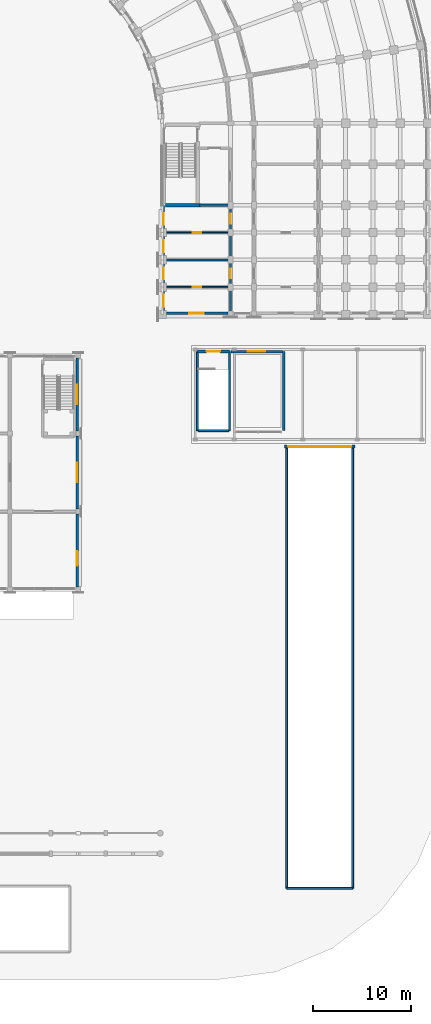
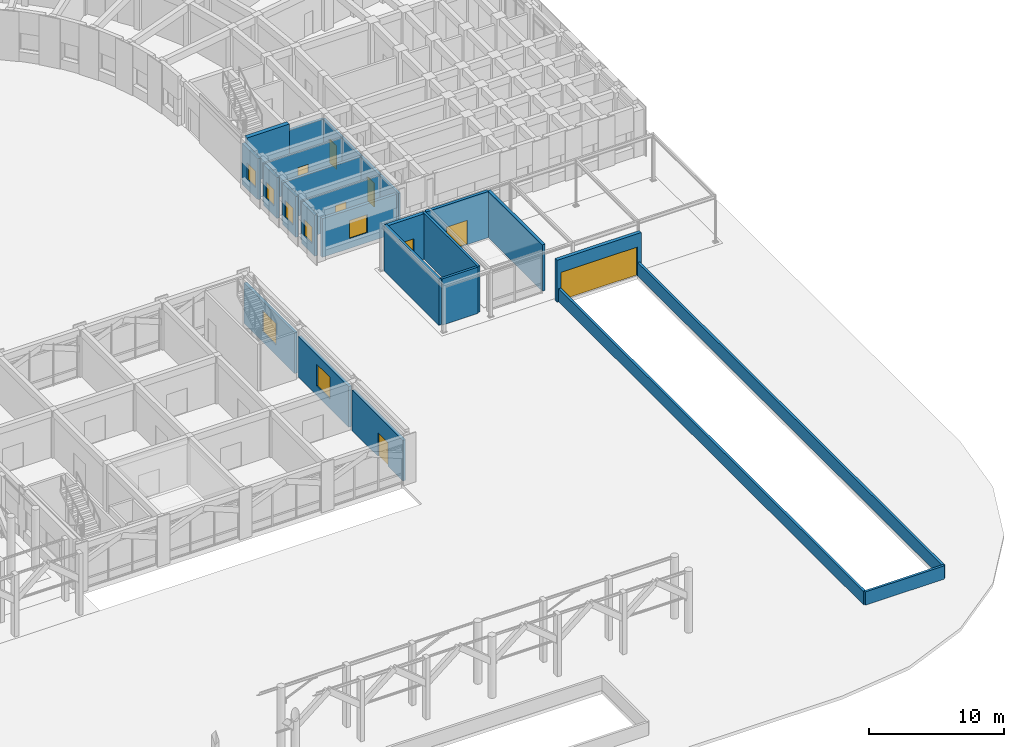
# One storey, part 107 of 135: 27 walls, 8 doors, 7 windows, 15 openings.
"""IFC4 building model written with IfcOpenShell, lengths in metres."""

from ifc_helpers import new_model, si_unit, direction, frame, frame_2d, origin, place, context, subcontext, project, spatial, rectangle, extrude, material, layer, layer_set, type_object, element, fill, save


model = new_model("IFC4")

# Units and contexts
model_context = context("Model", 3, precision=1e-05, world=origin(), true_north=direction((0.0, 1.0)))
body_context = subcontext(model_context, "Body", "Model", "MODEL_VIEW")
ifc_project = project(units=[si_unit("LENGTHUNIT", "METRE"), si_unit("AREAUNIT", "SQUARE_METRE"), si_unit("VOLUMEUNIT", "CUBIC_METRE"), si_unit("PLANEANGLEUNIT", "RADIAN"), si_unit("MASSUNIT", "GRAM", prefix="KILO")], contexts=[model_context])

# Site, building, storey
site_placement = place(None, origin())
site = spatial("IfcSite", under=ifc_project, at=site_placement, CompositionType="ELEMENT")
building_placement = place(site_placement, origin())
building = spatial("IfcBuilding", under=site, at=building_placement, Name="Kiranvali Square Residences", CompositionType="ELEMENT")
storey_placement = place(building_placement, origin())
storey = spatial("IfcBuildingStorey", under=building, at=storey_placement, Name="L00", CompositionType="ELEMENT", Elevation=0.0)

# Wall, opening, door
ifc_material_1 = material(Name="Autoclaved aerated concrete blockwork masonry", Category="masonry")
ifc_layer_1 = layer(ifc_material_1, 0.199951171875)
ifc_layer_set_1 = layer_set([ifc_layer_1], Name="Autoclaved aerated concrete blockwork masonry")
wall_type_1 = type_object("IfcWallType", Name="WL-COR-200", PredefinedType="STANDARD", material=ifc_layer_set_1)
wall_1_placement = place(storey_placement, frame((145.60009765625, 79.39990234375, 0.0), z_axis=(0.0, 0.0, 1.0), x_axis=(0.0, -1.0, 0.0)))
wall_1 = element("IfcWall", 1, at=wall_1_placement, inside=storey, type_object=wall_type_1, Name="L00 architectural wall WL-L00-B-A2CI-0", PredefinedType="STANDARD", context=body_context, shape_type="SweptSolid", body=[
    extrude(rectangle(XDim=2.7998046875, YDim=0.199951171875, at=frame_2d((1.39990234375, 0.0))), origin(), (0.0, 0.0, 1.0), 3.491943359375),
])
opening_1_placement = place(wall_1_placement, frame((0.89990234375, 0.0, 0.0)))
opening_1 = element("IfcOpeningElement", 2, at=opening_1_placement, cuts=wall_1, Name="Opening FD-APT-60", PredefinedType="OPENING", context=body_context, shape_type="SweptSolid", body=[
    extrude(rectangle(XDim=1.0, YDim=2.14990234375, at=frame_2d((0.5, 1.074951171875))), frame((0.0, 0.10986328125, 0.0), z_axis=(0.0, -1.0, 0.0), x_axis=(1.0, 0.0, 0.0)), (0.0, 0.0, 1.0), 0.219970703125),
])
ifc_material_2 = material(Name="Fire-rated acoustic hardwood and mineral-core door assembly", Category="wood")
door_type_1 = type_object("IfcDoorType", Name="DR-APT-1000", OperationType="NOTDEFINED", PredefinedType="DOOR", material=ifc_material_2)
door_1_placement = place(opening_1_placement, frame((1.0, 0.0, 0.0), z_axis=(0.0, 0.0, 1.0), x_axis=(-1.0, 0.0, 0.0)))
door_1 = element("IfcDoor", 3, at=door_1_placement, inside=storey, type_object=door_type_1, Name="L00 door DR-L00-0986 (DR-APT-1000)", OperationType="SINGLE_SWING_RIGHT", OverallHeight=2.14990234375, OverallWidth=1.0, PredefinedType="DOOR", context=body_context, shape_type="SweptSolid", body=[
    extrude(rectangle(XDim=1.0, YDim=2.14990234375, at=frame_2d((0.5, 1.074951171875))), frame((0.0, 0.02490234375, 0.0), z_axis=(0.0, -1.0, 0.0), x_axis=(1.0, 0.0, 0.0)), (0.0, 0.0, 1.0), 0.050048828125),
])
fill(opening_1, door_1)

# Wall
wall_2_placement = place(storey_placement, frame((145.60009765625, 76.60009765625, 0.0), z_axis=(0.0, 0.0, 1.0), x_axis=(0.0, -1.0, 0.0)))
element("IfcWall", 4, at=wall_2_placement, inside=storey, type_object=wall_type_1, Name="L00 architectural wall WL-L00-B-A2CI-1", PredefinedType="STANDARD", context=body_context, shape_type="SweptSolid", body=[
    extrude(rectangle(XDim=2.800048828125, YDim=0.199951171875, at=frame_2d((1.39990234375, 0.0))), origin(), (0.0, 0.0, 1.0), 3.491943359375),
])

# Wall, opening, door
wall_3_placement = place(storey_placement, frame((145.60009765625, 73.800048828125, 0.0), z_axis=(0.0, 0.0, 1.0), x_axis=(0.0, -1.0, 0.0)))
wall_3 = element("IfcWall", 5, at=wall_3_placement, inside=storey, type_object=wall_type_1, Name="L00 architectural wall WL-L00-B-A2CI-2", PredefinedType="STANDARD", context=body_context, shape_type="SweptSolid", body=[
    extrude(rectangle(XDim=2.800048828125, YDim=0.199951171875, at=frame_2d((1.39990234375, 0.0))), origin(), (0.0, 0.0, 1.0), 3.491943359375),
])
opening_2_placement = place(wall_3_placement, frame((0.89990234375, 0.0, 0.0)))
opening_2 = element("IfcOpeningElement", 6, at=opening_2_placement, cuts=wall_3, Name="Opening FD-APT-60", PredefinedType="OPENING", context=body_context, shape_type="SweptSolid", body=[
    extrude(rectangle(XDim=1.0, YDim=2.14990234375, at=frame_2d((0.5, 1.074951171875))), frame((0.0, 0.10986328125, 0.0), z_axis=(0.0, -1.0, 0.0), x_axis=(1.0, 0.0, 0.0)), (0.0, 0.0, 1.0), 0.219970703125),
])
door_2_placement = place(opening_2_placement, frame((1.0, 0.0, 0.0), z_axis=(0.0, 0.0, 1.0), x_axis=(-1.0, 0.0, 0.0)))
door_2 = element("IfcDoor", 7, at=door_2_placement, inside=storey, type_object=door_type_1, Name="L00 door DR-L00-0992 (DR-APT-1000)", OperationType="SINGLE_SWING_RIGHT", OverallHeight=2.14990234375, OverallWidth=1.0, PredefinedType="DOOR", context=body_context, shape_type="SweptSolid", body=[
    extrude(rectangle(XDim=1.0, YDim=2.14990234375, at=frame_2d((0.5, 1.074951171875))), frame((0.0, 0.02490234375, 0.0), z_axis=(0.0, -1.0, 0.0), x_axis=(1.0, 0.0, 0.0)), (0.0, 0.0, 1.0), 0.050048828125),
])
fill(opening_2, door_2)

# Walls
wall_4_placement = place(storey_placement, frame((145.60009765625, 71.0, 0.0), z_axis=(0.0, 0.0, 1.0), x_axis=(0.0, -1.0, 0.0)))
element("IfcWall", 8, at=wall_4_placement, inside=storey, type_object=wall_type_1, Name="L00 architectural wall WL-L00-B-A2CI-3", PredefinedType="STANDARD", context=body_context, shape_type="SweptSolid", body=[
    extrude(rectangle(XDim=2.800048828125, YDim=0.199951171875, at=frame_2d((1.39990234375, 0.0))), origin(), (0.0, 0.0, 1.0), 3.491943359375),
])
ifc_layer_2 = layer(ifc_material_1, 0.219970703125)
ifc_layer_set_2 = layer_set([ifc_layer_2], Name="Autoclaved aerated concrete blockwork masonry")
wall_type_2 = type_object("IfcWallType", Name="WL-DEM-220", PredefinedType="STANDARD", material=ifc_layer_set_2)
wall_5_placement = place(storey_placement, frame((142.449951171875, 79.39990234375, 0.0), z_axis=(0.0, 0.0, 1.0), x_axis=(1.0, 0.0, 0.0)))
element("IfcWall", 9, at=wall_5_placement, inside=storey, type_object=wall_type_2, Name="L00 architectural wall WL-L00-B-A2TI-0", PredefinedType="STANDARD", context=body_context, shape_type="SweptSolid", body=[
    extrude(rectangle(XDim=3.10009765625, YDim=0.219970703125, at=frame_2d((1.550048828125, 0.0))), origin(), (0.0, 0.0, 1.0), 3.491943359375),
])
wall_6_placement = place(storey_placement, frame((138.800048828125, 73.800048828125, 0.0), z_axis=(0.0, 0.0, 1.0), x_axis=(1.0, 0.0, 0.0)))
element("IfcWall", 10, at=wall_6_placement, inside=storey, type_object=wall_type_2, Name="L00 architectural wall WL-L00-B-A2TI-2", PredefinedType="STANDARD", context=body_context, shape_type="SweptSolid", body=[
    extrude(rectangle(XDim=6.75, YDim=0.219970703125, at=frame_2d((3.375, 0.0))), origin(), (0.0, 0.0, 1.0), 3.491943359375),
])
ifc_material_3 = material(Name="Breathable lime-rendered clay brick masonry", Category="masonry")
ifc_layer_3 = layer(ifc_material_3, 0.25)
ifc_layer_set_3 = layer_set([ifc_layer_3], Name="Breathable lime-rendered clay brick masonry")
wall_type_3 = type_object("IfcWallType", Name="WL-EXT-250", PredefinedType="STANDARD", material=ifc_layer_set_3)
wall_7_placement = place(storey_placement, frame((151.050048828125, 56.300048828125, 0.0), z_axis=(0.0, 0.0, 1.0), x_axis=(0.0, 1.0, 0.0)))
element("IfcWall", 11, at=wall_7_placement, inside=storey, type_object=wall_type_3, Name="L00 architectural wall WL-L00-KSKE-E", PredefinedType="STANDARD", context=body_context, shape_type="SweptSolid", body=[
    extrude(rectangle(XDim=8.099853515625, YDim=0.25, at=frame_2d((4.0498046875, 0.0))), origin(), (0.0, 0.0, 1.0), 4.179931640625),
])

# Wall, opening, door
wall_8_placement = place(storey_placement, frame((145.64990234375, 64.39990234375, 0.0), z_axis=(0.0, 0.0, 1.0), x_axis=(1.0, 0.0, 0.0)))
wall_8 = element("IfcWall", 12, at=wall_8_placement, inside=storey, type_object=wall_type_3, Name="L00 architectural wall WL-L00-KSKE-N", PredefinedType="STANDARD", context=body_context, shape_type="SweptSolid", body=[
    extrude(rectangle(XDim=5.300048828125, YDim=0.25, at=frame_2d((2.64990234375, 0.0))), origin(), (0.0, 0.0, 1.0), 4.179931640625),
])
opening_3_placement = place(wall_8_placement, frame((1.699951171875, 0.0, 0.0)))
opening_3 = element("IfcOpeningElement", 13, at=opening_3_placement, cuts=wall_8, Name="Opening ED-GLZ-180", PredefinedType="OPENING", context=body_context, shape_type="SweptSolid", body=[
    extrude(rectangle(XDim=1.800048828125, YDim=2.199951171875, at=frame_2d((0.89990234375, 1.10009765625))), frame((0.0, 0.135009765625, 0.0), z_axis=(0.0, -1.0, 0.0), x_axis=(1.0, 0.0, 0.0)), (0.0, 0.0, 1.0), 0.27001953125),
])
ifc_material_4 = material(Name="Anodised bronze aluminium framing", Category="aluminium")
door_type_2 = type_object("IfcDoorType", Name="DR-GLZ-1800", OperationType="DOUBLE_DOOR_SINGLE_SWING", PredefinedType="DOOR", material=ifc_material_4)
door_3_placement = place(opening_3_placement, origin())
door_3 = element("IfcDoor", 14, at=door_3_placement, inside=storey, type_object=door_type_2, Name="East Mobility Kiosk entrance door", OperationType="DOUBLE_DOOR_SINGLE_SWING", OverallHeight=2.199951171875, OverallWidth=1.800048828125, PredefinedType="DOOR", context=body_context, shape_type="SweptSolid", body=[
    extrude(rectangle(XDim=1.800048828125, YDim=2.199951171875, at=frame_2d((0.89990234375, 1.10009765625))), frame((0.0, 0.02490234375, 0.0), z_axis=(0.0, -1.0, 0.0), x_axis=(1.0, 0.0, 0.0)), (0.0, 0.0, 1.0), 0.050048828125),
])
fill(opening_3, door_3)

# Wall, opening, window
wall_9_placement = place(storey_placement, frame((138.72509765625, 79.37158203125, 0.0), z_axis=(0.0, 0.0, 1.0), x_axis=(0.0, -1.0, 0.0)))
wall_9 = element("IfcWall", 15, at=wall_9_placement, inside=storey, type_object=wall_type_3, Name="L00 exterior wall B-L00-A2I-0", PredefinedType="STANDARD", context=body_context, shape_type="SweptSolid", body=[
    extrude(rectangle(XDim=2.3515625, YDim=0.25, at=frame_2d((1.17578125, 0.0))), origin(), (0.0, 0.0, 1.0), 3.69189453125),
])
opening_4_placement = place(wall_9_placement, frame((0.771484375, 0.0, 0.8798828125)))
opening_4 = element("IfcOpeningElement", 16, at=opening_4_placement, cuts=wall_9, Name="Opening W-06", PredefinedType="OPENING", context=body_context, shape_type="SweptSolid", body=[
    extrude(rectangle(XDim=1.199951171875, YDim=1.5, at=frame_2d((0.60009765625, 0.75))), frame((0.0, 0.135009765625, 0.0), z_axis=(0.0, -1.0, 0.0), x_axis=(1.0, 0.0, 0.0)), (0.0, 0.0, 1.0), 0.27001953125),
])
ifc_material_5 = material(Name="Solar-control low-e double glazing", Category="glass")
window_type_1 = type_object("IfcWindowType", Name="WIN-RES-1200x1500", PartitioningType="SINGLE_PANEL", PredefinedType="WINDOW", material=ifc_material_5)
window_1_placement = place(opening_4_placement, origin())
window_1 = element("IfcWindow", 17, at=window_1_placement, inside=storey, type_object=window_type_1, Name="L00 recessed window B-L00-A2I-0", OverallHeight=1.5, OverallWidth=1.199951171875, PartitioningType="SINGLE_PANEL", PredefinedType="WINDOW", context=body_context, shape_type="SweptSolid", body=[
    extrude(rectangle(XDim=1.199951171875, YDim=1.5, at=frame_2d((0.60009765625, 0.75))), frame((0.0, 0.030029296875, 0.0), z_axis=(0.0, -1.0, 0.0), x_axis=(1.0, 0.0, 0.0)), (0.0, 0.0, 1.0), 0.06005859375),
])
fill(opening_4, window_1)

wall_10_placement = place(storey_placement, frame((138.72509765625, 76.179931640625, 0.0), z_axis=(0.0, 0.0, 1.0), x_axis=(0.0, -1.0, 0.0)))
wall_10 = element("IfcWall", 18, at=wall_10_placement, inside=storey, type_object=wall_type_3, Name="L00 exterior wall B-L00-A2I-1", PredefinedType="STANDARD", context=body_context, shape_type="SweptSolid", body=[
    extrude(rectangle(XDim=1.9599609375, YDim=0.25, at=frame_2d((0.97998046875, 0.0))), origin(), (0.0, 0.0, 1.0), 3.69189453125),
])
opening_5_placement = place(wall_10_placement, frame((0.3798828125, 0.0, 0.8798828125)))
opening_5 = element("IfcOpeningElement", 19, at=opening_5_placement, cuts=wall_10, Name="Opening W-06", PredefinedType="OPENING", context=body_context, shape_type="SweptSolid", body=[
    extrude(rectangle(XDim=1.199951171875, YDim=1.5, at=frame_2d((0.60009765625, 0.75))), frame((0.0, 0.135009765625, 0.0), z_axis=(0.0, -1.0, 0.0), x_axis=(1.0, 0.0, 0.0)), (0.0, 0.0, 1.0), 0.27001953125),
])
window_2_placement = place(opening_5_placement, origin())
window_2 = element("IfcWindow", 20, at=window_2_placement, inside=storey, type_object=window_type_1, Name="L00 recessed window B-L00-A2I-1", OverallHeight=1.5, OverallWidth=1.199951171875, PartitioningType="SINGLE_PANEL", PredefinedType="WINDOW", context=body_context, shape_type="SweptSolid", body=[
    extrude(rectangle(XDim=1.199951171875, YDim=1.5, at=frame_2d((0.60009765625, 0.75))), frame((0.0, 0.030029296875, 0.0), z_axis=(0.0, -1.0, 0.0), x_axis=(1.0, 0.0, 0.0)), (0.0, 0.0, 1.0), 0.06005859375),
])
fill(opening_5, window_2)

wall_11_placement = place(storey_placement, frame((138.72509765625, 73.3798828125, 0.0), z_axis=(0.0, 0.0, 1.0), x_axis=(0.0, -1.0, 0.0)))
wall_11 = element("IfcWall", 21, at=wall_11_placement, inside=storey, type_object=wall_type_3, Name="L00 exterior wall B-L00-A2I-2", PredefinedType="STANDARD", context=body_context, shape_type="SweptSolid", body=[
    extrude(rectangle(XDim=1.9599609375, YDim=0.25, at=frame_2d((0.97998046875, 0.0))), origin(), (0.0, 0.0, 1.0), 3.69189453125),
])
opening_6_placement = place(wall_11_placement, frame((0.3798828125, 0.0, 0.8798828125)))
opening_6 = element("IfcOpeningElement", 22, at=opening_6_placement, cuts=wall_11, Name="Opening W-06", PredefinedType="OPENING", context=body_context, shape_type="SweptSolid", body=[
    extrude(rectangle(XDim=1.199951171875, YDim=1.5, at=frame_2d((0.60009765625, 0.75))), frame((0.0, 0.135009765625, 0.0), z_axis=(0.0, -1.0, 0.0), x_axis=(1.0, 0.0, 0.0)), (0.0, 0.0, 1.0), 0.27001953125),
])
window_3_placement = place(opening_6_placement, origin())
window_3 = element("IfcWindow", 23, at=window_3_placement, inside=storey, type_object=window_type_1, Name="L00 recessed window B-L00-A2I-2", OverallHeight=1.5, OverallWidth=1.199951171875, PartitioningType="SINGLE_PANEL", PredefinedType="WINDOW", context=body_context, shape_type="SweptSolid", body=[
    extrude(rectangle(XDim=1.199951171875, YDim=1.5, at=frame_2d((0.60009765625, 0.75))), frame((0.0, 0.030029296875, 0.0), z_axis=(0.0, -1.0, 0.0), x_axis=(1.0, 0.0, 0.0)), (0.0, 0.0, 1.0), 0.06005859375),
])
fill(opening_6, window_3)

wall_12_placement = place(storey_placement, frame((138.72509765625, 70.580078125, 0.0), z_axis=(0.0, 0.0, 1.0), x_axis=(0.0, -1.0, 0.0)))
wall_12 = element("IfcWall", 24, at=wall_12_placement, inside=storey, type_object=wall_type_3, Name="L00 exterior wall B-L00-A2I-3", PredefinedType="STANDARD", context=body_context, shape_type="SweptSolid", body=[
    extrude(rectangle(XDim=1.9599609375, YDim=0.25, at=frame_2d((0.97998046875, 0.0))), origin(), (0.0, 0.0, 1.0), 3.69189453125),
])
opening_7_placement = place(wall_12_placement, frame((0.3798828125, 0.0, 0.8798828125)))
opening_7 = element("IfcOpeningElement", 25, at=opening_7_placement, cuts=wall_12, Name="Opening W-06", PredefinedType="OPENING", context=body_context, shape_type="SweptSolid", body=[
    extrude(rectangle(XDim=1.199951171875, YDim=1.5, at=frame_2d((0.60009765625, 0.75))), frame((0.0, 0.135009765625, 0.0), z_axis=(0.0, -1.0, 0.0), x_axis=(1.0, 0.0, 0.0)), (0.0, 0.0, 1.0), 0.27001953125),
])
window_4_placement = place(opening_7_placement, origin())
window_4 = element("IfcWindow", 26, at=window_4_placement, inside=storey, type_object=window_type_1, Name="L00 recessed window B-L00-A2I-3", OverallHeight=1.5, OverallWidth=1.199951171875, PartitioningType="SINGLE_PANEL", PredefinedType="WINDOW", context=body_context, shape_type="SweptSolid", body=[
    extrude(rectangle(XDim=1.199951171875, YDim=1.5, at=frame_2d((0.60009765625, 0.75))), frame((0.0, 0.030029296875, 0.0), z_axis=(0.0, -1.0, 0.0), x_axis=(1.0, 0.0, 0.0)), (0.0, 0.0, 1.0), 0.06005859375),
])
fill(opening_7, window_4)

wall_13_placement = place(storey_placement, frame((139.02001953125, 68.324951171875, 0.0), z_axis=(0.0, 0.0, 1.0), x_axis=(1.0, 0.0, 0.0)))
wall_13 = element("IfcWall", 27, at=wall_13_placement, inside=storey, type_object=wall_type_3, Name="L00 exterior wall B-L00-A2END-0", PredefinedType="STANDARD", context=body_context, shape_type="SweptSolid", body=[
    extrude(rectangle(XDim=6.326416015625, YDim=0.25, at=frame_2d((3.1630859375, 0.0))), origin(), (0.0, 0.0, 1.0), 3.491943359375),
])
opening_8_placement = place(wall_13_placement, frame((2.330078125, 0.0, 0.8798828125)))
opening_8 = element("IfcOpeningElement", 28, at=opening_8_placement, cuts=wall_13, Name="Opening W-05", PredefinedType="OPENING", context=body_context, shape_type="SweptSolid", body=[
    extrude(rectangle(XDim=1.5, YDim=1.64990234375, at=frame_2d((0.75, 0.824951171875))), frame((0.0, 0.135009765625, 0.0), z_axis=(0.0, -1.0, 0.0), x_axis=(1.0, 0.0, 0.0)), (0.0, 0.0, 1.0), 0.27001953125),
])
window_type_2 = type_object("IfcWindowType", Name="WIN-RES-1500x1650", PartitioningType="DOUBLE_PANEL_VERTICAL", PredefinedType="WINDOW", material=ifc_material_5)
window_5_placement = place(opening_8_placement, origin())
window_5 = element("IfcWindow", 29, at=window_5_placement, inside=storey, type_object=window_type_2, Name="L00 recessed window B-L00-A2END-0", OverallHeight=1.64990234375, OverallWidth=1.5, PartitioningType="DOUBLE_PANEL_VERTICAL", PredefinedType="WINDOW", context=body_context, shape_type="SweptSolid", body=[
    extrude(rectangle(XDim=1.5, YDim=1.64990234375, at=frame_2d((0.75, 0.824951171875))), frame((0.0, 0.030029296875, 0.0), z_axis=(0.0, -1.0, 0.0), x_axis=(1.0, 0.0, 0.0)), (0.0, 0.0, 1.0), 0.06005859375),
])
fill(opening_8, window_5)

# Wall, opening, door
wall_14_placement = place(storey_placement, frame((129.875, 40.25341796875, 0.0), z_axis=(0.0, 0.0, 1.0), x_axis=(0.0, 1.0, 0.0)))
wall_14 = element("IfcWall", 30, at=wall_14_placement, inside=storey, type_object=wall_type_3, Name="L00 exterior wall RT-L00-E-0", PredefinedType="STANDARD", context=body_context, shape_type="SweptSolid", body=[
    extrude(rectangle(XDim=7.4931640625, YDim=0.25, at=frame_2d((3.74658203125, 0.0))), origin(), (0.0, 0.0, 1.0), 3.672119140625),
])
opening_9_placement = place(wall_14_placement, frame((2.199951171875, 0.0, 0.0)))
opening_9 = element("IfcOpeningElement", 31, at=opening_9_placement, cuts=wall_14, Name="Opening ED-EX-150", PredefinedType="OPENING", context=body_context, shape_type="SweptSolid", body=[
    extrude(rectangle(XDim=1.5, YDim=2.14990234375, at=frame_2d((0.75, 1.074951171875))), frame((0.0, 0.135009765625, 0.0), z_axis=(0.0, -1.0, 0.0), x_axis=(1.0, 0.0, 0.0)), (0.0, 0.0, 1.0), 0.27001953125),
])
door_type_3 = type_object("IfcDoorType", Name="DR-EXIT-1500", OperationType="NOTDEFINED", PredefinedType="DOOR", material=ifc_material_2)
door_4_placement = place(opening_9_placement, frame((1.5, 0.0, 0.0), z_axis=(0.0, 0.0, 1.0), x_axis=(-1.0, 0.0, 0.0)))
door_4 = element("IfcDoor", 32, at=door_4_placement, inside=storey, type_object=door_type_3, Name="RT pavilion ground final exit door", OperationType="SINGLE_SWING_LEFT", OverallHeight=2.14990234375, OverallWidth=1.5, PredefinedType="DOOR", context=body_context, shape_type="SweptSolid", body=[
    extrude(rectangle(XDim=1.5, YDim=2.14990234375, at=frame_2d((0.75, 1.074951171875))), frame((0.0, 0.02490234375, 0.0), z_axis=(0.0, -1.0, 0.0), x_axis=(1.0, 0.0, 0.0)), (0.0, 0.0, 1.0), 0.050048828125),
])
fill(opening_9, door_4)

# Wall, opening, window
wall_15_placement = place(storey_placement, frame((129.875, 48.25341796875, 0.0), z_axis=(0.0, 0.0, 1.0), x_axis=(0.0, 1.0, 0.0)))
wall_15 = element("IfcWall", 33, at=wall_15_placement, inside=storey, type_object=wall_type_3, Name="L00 exterior wall RT-L00-E-1", PredefinedType="STANDARD", context=body_context, shape_type="SweptSolid", body=[
    extrude(rectangle(XDim=7.4931640625, YDim=0.25, at=frame_2d((3.74658203125, 0.0))), origin(), (0.0, 0.0, 1.0), 3.672119140625),
])
opening_10_placement = place(wall_15_placement, frame((2.74658203125, 0.0, 0.8798828125)))
opening_10 = element("IfcOpeningElement", 34, at=opening_10_placement, cuts=wall_15, Name="Opening W-08", PredefinedType="OPENING", context=body_context, shape_type="SweptSolid", body=[
    extrude(rectangle(XDim=2.0, YDim=1.949951171875, at=frame_2d((1.0, 0.97509765625))), frame((0.0, 0.135009765625, 0.0), z_axis=(0.0, -1.0, 0.0), x_axis=(1.0, 0.0, 0.0)), (0.0, 0.0, 1.0), 0.27001953125),
])
window_type_3 = type_object("IfcWindowType", Name="WIN-PAV-2000x1950", PartitioningType="TRIPLE_PANEL_VERTICAL", PredefinedType="WINDOW", material=ifc_material_5)
window_6_placement = place(opening_10_placement, origin())
window_6 = element("IfcWindow", 35, at=window_6_placement, inside=storey, type_object=window_type_3, Name="L00 recessed window RT-L00-E-1", OverallHeight=1.949951171875, OverallWidth=2.0, PartitioningType="TRIPLE_PANEL_VERTICAL", PredefinedType="WINDOW", context=body_context, shape_type="SweptSolid", body=[
    extrude(rectangle(XDim=2.0, YDim=1.949951171875, at=frame_2d((1.0, 0.97509765625))), frame((0.0, 0.030029296875, 0.0), z_axis=(0.0, -1.0, 0.0), x_axis=(1.0, 0.0, 0.0)), (0.0, 0.0, 1.0), 0.06005859375),
])
fill(opening_10, window_6)

wall_16_placement = place(storey_placement, frame((129.875, 56.25341796875, 0.0), z_axis=(0.0, 0.0, 1.0), x_axis=(0.0, 1.0, 0.0)))
wall_16 = element("IfcWall", 36, at=wall_16_placement, inside=storey, type_object=wall_type_3, Name="L00 exterior wall RT-L00-E-2", PredefinedType="STANDARD", context=body_context, shape_type="SweptSolid", body=[
    extrude(rectangle(XDim=7.4931640625, YDim=0.25, at=frame_2d((3.74658203125, 0.0))), origin(), (0.0, 0.0, 1.0), 3.672119140625),
])
opening_11_placement = place(wall_16_placement, frame((2.74658203125, 0.0, 0.8798828125)))
opening_11 = element("IfcOpeningElement", 37, at=opening_11_placement, cuts=wall_16, Name="Opening W-08", PredefinedType="OPENING", context=body_context, shape_type="SweptSolid", body=[
    extrude(rectangle(XDim=2.0, YDim=1.949951171875, at=frame_2d((1.0, 0.97509765625))), frame((0.0, 0.135009765625, 0.0), z_axis=(0.0, -1.0, 0.0), x_axis=(1.0, 0.0, 0.0)), (0.0, 0.0, 1.0), 0.27001953125),
])
window_7_placement = place(opening_11_placement, origin())
window_7 = element("IfcWindow", 38, at=window_7_placement, inside=storey, type_object=window_type_3, Name="L00 recessed window RT-L00-E-2", OverallHeight=1.949951171875, OverallWidth=2.0, PartitioningType="TRIPLE_PANEL_VERTICAL", PredefinedType="WINDOW", context=body_context, shape_type="SweptSolid", body=[
    extrude(rectangle(XDim=2.0, YDim=1.949951171875, at=frame_2d((1.0, 0.97509765625))), frame((0.0, 0.030029296875, 0.0), z_axis=(0.0, -1.0, 0.0), x_axis=(1.0, 0.0, 0.0)), (0.0, 0.0, 1.0), 0.06005859375),
])
fill(opening_11, window_7)

# Wall, opening, door
ifc_material_6 = material(Name="Alternating Deccan basalt stone and terracotta brick masonry", Category="masonry")
ifc_layer_4 = layer(ifc_material_6, 0.300048828125)
ifc_layer_set_4 = layer_set([ifc_layer_4], Name="Alternating Deccan basalt stone and terracotta brick masonry")
wall_type_4 = type_object("IfcWallType", Name="WL-EXT-300", PredefinedType="STANDARD", material=ifc_layer_set_4)
wall_17_placement = place(storey_placement, frame((151.14990234375, 54.64990234375, 0.0), z_axis=(0.0, 0.0, 1.0), x_axis=(1.0, 0.0, 0.0)))
wall_17 = element("IfcWall", 39, at=wall_17_placement, inside=storey, type_object=wall_type_4, Name="Ground portal wall EW-VG2-PORTAL", PredefinedType="STANDARD", context=body_context, shape_type="SweptSolid", body=[
    extrude(rectangle(XDim=7.2001953125, YDim=0.300048828125, at=frame_2d((3.60009765625, 0.0))), origin(), (0.0, 0.0, 1.0), 3.800048828125),
])
opening_12_placement = place(wall_17_placement, frame((0.35009765625, 0.0, 0.0)))
opening_12 = element("IfcOpeningElement", 40, at=opening_12_placement, cuts=wall_17, Name="Opening VG-2", PredefinedType="OPENING", context=body_context, shape_type="SweptSolid", body=[
    extrude(rectangle(XDim=6.5, YDim=2.60009765625, at=frame_2d((3.25, 1.300048828125))), frame((0.0, 0.159912109375, 0.0), z_axis=(0.0, -1.0, 0.0), x_axis=(1.0, 0.0, 0.0)), (0.0, 0.0, 1.0), 0.320068359375),
])
ifc_material_7 = material(Name="Galvanised powder-coated steel roller shutter", Category="steel")
door_type_4 = type_object("IfcDoorType", Name="DR-VGATE-6500", OperationType="ROLLINGUP", PredefinedType="GATE", material=ifc_material_7)
door_5_placement = place(opening_12_placement, frame((6.5, 0.0, 0.0), z_axis=(0.0, 0.0, 1.0), x_axis=(-1.0, 0.0, 0.0)))
door_5 = element("IfcDoor", 41, at=door_5_placement, inside=storey, type_object=door_type_4, Name="East Street Vehicle Ramp Roller Shutter Gate VG-2", OperationType="ROLLINGUP", OverallHeight=2.60009765625, OverallWidth=6.5, PredefinedType="GATE", context=body_context, shape_type="SweptSolid", body=[
    extrude(rectangle(XDim=6.5, YDim=2.60009765625, at=frame_2d((3.25, 1.300048828125))), frame((0.0, 0.02490234375, 0.0), z_axis=(0.0, -1.0, 0.0), x_axis=(1.0, 0.0, 0.0)), (0.0, 0.0, 1.0), 0.050048828125),
])
fill(opening_12, door_5)

wall_18_placement = place(storey_placement, frame((142.199951171875, 64.39990234375, 0.0), z_axis=(0.0, 0.0, 1.0), x_axis=(1.0, 0.0, 0.0)))
wall_18 = element("IfcWall", 42, at=wall_18_placement, inside=storey, type_object=wall_type_4, Name="Ground portal wall EW-PE-STP2-N", PredefinedType="STANDARD", context=body_context, shape_type="SweptSolid", body=[
    extrude(rectangle(XDim=3.300048828125, YDim=0.300048828125, at=frame_2d((1.64990234375, 0.0))), origin(), (0.0, 0.0, 1.0), 4.10009765625),
])
opening_13_placement = place(wall_18_placement, frame((0.949951171875, 0.0, 0.0)))
opening_13 = element("IfcOpeningElement", 43, at=opening_13_placement, cuts=wall_18, Name="Opening ED-EX-140", PredefinedType="OPENING", context=body_context, shape_type="SweptSolid", body=[
    extrude(rectangle(XDim=1.39990234375, YDim=2.14990234375, at=frame_2d((0.699951171875, 1.074951171875))), frame((0.0, 0.159912109375, 0.0), z_axis=(0.0, -1.0, 0.0), x_axis=(1.0, 0.0, 0.0)), (0.0, 0.0, 1.0), 0.320068359375),
])
door_type_5 = type_object("IfcDoorType", Name="DR-EXIT-1400", OperationType="NOTDEFINED", PredefinedType="DOOR", material=ifc_material_2)
door_6_placement = place(opening_13_placement, origin())
door_6 = element("IfcDoor", 44, at=door_6_placement, inside=storey, type_object=door_type_5, Name="Basement Stair ST-P2 ground final exit door", OperationType="SINGLE_SWING_LEFT", OverallHeight=2.14990234375, OverallWidth=1.39990234375, PredefinedType="DOOR", context=body_context, shape_type="SweptSolid", body=[
    extrude(rectangle(XDim=1.39990234375, YDim=2.14990234375, at=frame_2d((0.699951171875, 1.074951171875))), frame((0.0, 0.02490234375, 0.0), z_axis=(0.0, -1.0, 0.0), x_axis=(1.0, 0.0, 0.0)), (0.0, 0.0, 1.0), 0.050048828125),
])
fill(opening_13, door_6)

# Walls
ifc_material_8 = material(Name="Porbandar limestone coping and lime-rendered brick masonry", Category="masonry")
ifc_layer_5 = layer(ifc_material_8, 0.199951171875)
ifc_layer_set_5 = layer_set([ifc_layer_5], Name="Porbandar limestone coping and lime-rendered brick masonry")
wall_type_5 = type_object("IfcWallType", Name="WL-PAR-200", PredefinedType="PARAPET", material=ifc_layer_set_5)
for number, where, z_axis, x_axis, name in (
    (45, (151.3798828125, 9.3798828125, 0.0), (0.0, 0.0, 1.0), (0.0, 1.0, 0.0), "Basement vehicle ramp headwall safety parapet WL-PAR-RMPE-W"),
    (46, (158.1201171875, 9.3798828125, 0.0), (0.0, 0.0, 1.0), (0.0, 1.0, 0.0), "Basement vehicle ramp headwall safety parapet WL-PAR-RMPE-E"),
):
    element("IfcWall", number, at=place(storey_placement, frame(where, z_axis=z_axis, x_axis=x_axis)), inside=storey, type_object=wall_type_5, Name=name, PredefinedType="PARAPET", context=body_context, shape_type="SweptSolid", body=[
        extrude(rectangle(XDim=45.1201171875, YDim=0.199951171875, at=frame_2d((22.56005859375, 0.0))), origin(), (0.0, 0.0, 1.0), 1.199951171875),
    ])
wall_19_placement = place(storey_placement, frame((151.3798828125, 9.3798828125, 0.0), z_axis=(0.0, 0.0, 1.0), x_axis=(1.0, 0.0, 0.0)))
element("IfcWall", 47, at=wall_19_placement, inside=storey, type_object=wall_type_5, Name="Basement vehicle ramp headwall safety parapet WL-PAR-RMPE-S", PredefinedType="PARAPET", context=body_context, shape_type="SweptSolid", body=[
    extrude(rectangle(XDim=6.740234375, YDim=0.199951171875, at=frame_2d((3.3701171875, 0.0))), origin(), (0.0, 0.0, 1.0), 1.199951171875),
])

# Wall, opening, door
ifc_material_9 = material(Name="Acoustic gypsum board drylined partition", Category="gypsum")
ifc_layer_6 = layer(ifc_material_9, 0.14990234375)
ifc_layer_set_6 = layer_set([ifc_layer_6], Name="Acoustic gypsum board drylined partition")
wall_type_6 = type_object("IfcWallType", Name="WL-PRT-150", PredefinedType="PARTITIONING", material=ifc_layer_set_6)
wall_20_placement = place(storey_placement, frame((138.800048828125, 76.60009765625, 0.0), z_axis=(0.0, 0.0, 1.0), x_axis=(1.0, 0.0, 0.0)))
wall_20 = element("IfcWall", 48, at=wall_20_placement, inside=storey, type_object=wall_type_6, Name="L00 architectural wall WL-L00-B-A2TI-1", PredefinedType="PARTITIONING", context=body_context, shape_type="SweptSolid", body=[
    extrude(rectangle(XDim=6.75, YDim=0.14990234375, at=frame_2d((3.375, 0.0))), origin(), (0.0, 0.0, 1.0), 3.491943359375),
])
opening_14_placement = place(wall_20_placement, frame((2.925048828125, 0.0, 0.0)))
opening_14 = element("IfcOpeningElement", 49, at=opening_14_placement, cuts=wall_20, Name="Opening ID-1", PredefinedType="OPENING", context=body_context, shape_type="SweptSolid", body=[
    extrude(rectangle(XDim=0.89990234375, YDim=2.10009765625, at=frame_2d((0.449951171875, 1.050048828125))), frame((0.0, 0.0849609375, 0.0), z_axis=(0.0, -1.0, 0.0), x_axis=(1.0, 0.0, 0.0)), (0.0, 0.0, 1.0), 0.169921875),
])
ifc_material_10 = material(Name="Solid seasoned teak hardwood joinery", Category="wood")
door_type_6 = type_object("IfcDoorType", Name="DR-INT-900", OperationType="NOTDEFINED", PredefinedType="DOOR", material=ifc_material_10)
door_7_placement = place(opening_14_placement, frame((0.89990234375, 0.0, 0.0), z_axis=(0.0, 0.0, 1.0), x_axis=(-1.0, 0.0, 0.0)))
door_7 = element("IfcDoor", 50, at=door_7_placement, inside=storey, type_object=door_type_6, Name="L00 door DR-L00-0990 (DR-INT-900)", OperationType="SINGLE_SWING_RIGHT", OverallHeight=2.10009765625, OverallWidth=0.89990234375, PredefinedType="DOOR", context=body_context, shape_type="SweptSolid", body=[
    extrude(rectangle(XDim=0.89990234375, YDim=2.10009765625, at=frame_2d((0.449951171875, 1.050048828125))), frame((0.0, 0.02490234375, 0.0), z_axis=(0.0, -1.0, 0.0), x_axis=(1.0, 0.0, 0.0)), (0.0, 0.0, 1.0), 0.050048828125),
])
fill(opening_14, door_7)

wall_21_placement = place(storey_placement, frame((138.800048828125, 71.0, 0.0), z_axis=(0.0, 0.0, 1.0), x_axis=(1.0, 0.0, 0.0)))
wall_21 = element("IfcWall", 51, at=wall_21_placement, inside=storey, type_object=wall_type_6, Name="L00 architectural wall WL-L00-B-A2TI-3", PredefinedType="PARTITIONING", context=body_context, shape_type="SweptSolid", body=[
    extrude(rectangle(XDim=6.75, YDim=0.14990234375, at=frame_2d((3.375, 0.0))), origin(), (0.0, 0.0, 1.0), 3.491943359375),
])
opening_15_placement = place(wall_21_placement, frame((2.925048828125, 0.0, 0.0)))
opening_15 = element("IfcOpeningElement", 52, at=opening_15_placement, cuts=wall_21, Name="Opening ID-1", PredefinedType="OPENING", context=body_context, shape_type="SweptSolid", body=[
    extrude(rectangle(XDim=0.89990234375, YDim=2.10009765625, at=frame_2d((0.449951171875, 1.050048828125))), frame((0.0, 0.0849609375, 0.0), z_axis=(0.0, -1.0, 0.0), x_axis=(1.0, 0.0, 0.0)), (0.0, 0.0, 1.0), 0.169921875),
])
door_8_placement = place(opening_15_placement, frame((0.89990234375, 0.0, 0.0), z_axis=(0.0, 0.0, 1.0), x_axis=(-1.0, 0.0, 0.0)))
door_8 = element("IfcDoor", 53, at=door_8_placement, inside=storey, type_object=door_type_6, Name="L00 door DR-L00-0996 (DR-INT-900)", OperationType="SINGLE_SWING_RIGHT", OverallHeight=2.10009765625, OverallWidth=0.89990234375, PredefinedType="DOOR", context=body_context, shape_type="SweptSolid", body=[
    extrude(rectangle(XDim=0.89990234375, YDim=2.10009765625, at=frame_2d((0.449951171875, 1.050048828125))), frame((0.0, 0.02490234375, 0.0), z_axis=(0.0, -1.0, 0.0), x_axis=(1.0, 0.0, 0.0)), (0.0, 0.0, 1.0), 0.050048828125),
])
fill(opening_15, door_8)

# Walls
ifc_layer_7 = layer(ifc_material_1, 0.199951171875)
ifc_layer_set_7 = layer_set([ifc_layer_7], Name="Autoclaved aerated concrete blockwork masonry")
wall_type_7 = type_object("IfcWallType", Name="WL-SHF-200", PredefinedType="STANDARD", material=ifc_layer_set_7)
for number, where, z_axis, x_axis, name in (
    (54, (142.199951171875, 56.300048828125, 0.0), (0.0, 0.0, 1.0), (0.0, 1.0, 0.0), "L00 architectural wall WL-L00-STP2-W"),
    (55, (145.5, 56.300048828125, 0.0), (0.0, 0.0, 1.0), (0.0, 1.0, 0.0), "L00 architectural wall WL-L00-STP2-E"),
):
    element("IfcWall", number, at=place(storey_placement, frame(where, z_axis=z_axis, x_axis=x_axis)), inside=storey, type_object=wall_type_7, Name=name, PredefinedType="STANDARD", context=body_context, shape_type="SweptSolid", body=[
        extrude(rectangle(XDim=8.099853515625, YDim=0.199951171875, at=frame_2d((4.0498046875, 0.0))), origin(), (0.0, 0.0, 1.0), 4.179931640625),
    ])
wall_22_placement = place(storey_placement, frame((142.300048828125, 56.300048828125, 0.0), z_axis=(0.0, 0.0, 1.0), x_axis=(1.0, 0.0, 0.0)))
element("IfcWall", 56, at=wall_22_placement, inside=storey, type_object=wall_type_7, Name="L00 architectural wall WL-L00-STP2-S", PredefinedType="STANDARD", context=body_context, shape_type="SweptSolid", body=[
    extrude(rectangle(XDim=3.099853515625, YDim=0.199951171875, at=frame_2d((1.5498046875, 0.0))), origin(), (0.0, 0.0, 1.0), 4.179931640625),
])
ifc_material_11 = material(Name="Concrete M50 (50 MPa)", Category="concrete")
ifc_layer_8 = layer(ifc_material_11, 0.35009765625)
ifc_layer_set_8 = layer_set([ifc_layer_8], Name="Concrete M50 (50 MPa)")
wall_type_8 = type_object("IfcWallType", Name="WL-SHR-350", PredefinedType="SHEAR", material=ifc_layer_set_8)
wall_23_placement = place(storey_placement, frame((138.949951171875, 79.375, 0.0), z_axis=(0.0, 0.0, 1.0), x_axis=(1.0, 0.0, 0.0)))
element("IfcWall", 57, at=wall_23_placement, inside=storey, type_object=wall_type_8, Name="Block B core shear wall SW-B3-FAR-L00", PredefinedType="SHEAR", context=body_context, shape_type="SweptSolid", body=[
    extrude(rectangle(XDim=3.60009765625, YDim=0.35009765625, at=frame_2d((1.800048828125, 0.0))), origin(), (0.0, 0.0, 1.0), 4.14990234375),
])

save(model, "model.ifc")
